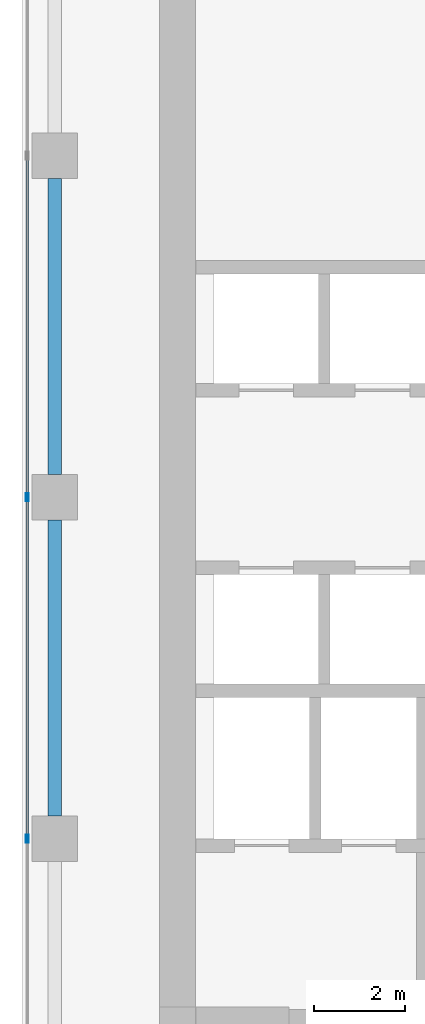
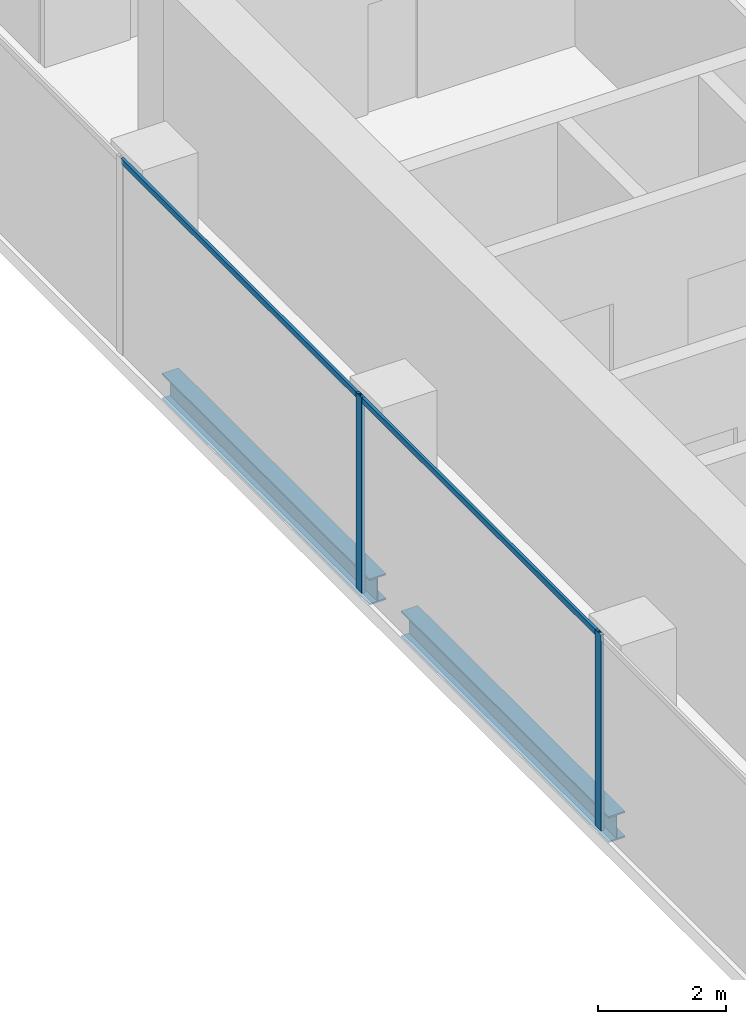
# One storey, part 6 of 37: 4 members, 2 beams, 1 element without a shape of its own.
"""IFC4 building model written with IfcOpenShell, lengths in metres."""

import ifcopenshell
import ifcopenshell.guid

model = None  # the IFC model being written
_history = None  # IfcOwnerHistory: only IFC2X3 demands one
_inside = {}  # id of a spatial element -> (the spatial element, [elements in it])
_under = {}  # id of a project, library or spatial element -> (it, [spatial elements below it])
_declared = {}  # id of a project -> (the project, [libraries it declares])
_typed = {}  # id of a type object -> (the type object, [elements of that type])
_made_of = {}  # id of a material, layer set ... -> (it, [elements and type objects made of it])


def new_model(schema):
    """Start an empty IFC model of exactly this schema.

    Asked for "IFC4X3", IfcOpenShell would pick the latest addendum, in which some entities
    have other attributes; the version numbers below select the first issue.
    IFC2X3 requires an IfcOwnerHistory on every rooted entity: one is made here for all.
    """
    global model, _history
    if schema == "IFC4X3":
        model = ifcopenshell.file(schema_version=(4, 3, 0, 0))
    else:
        model = ifcopenshell.file(schema=schema)
    _inside.clear()
    _under.clear()
    _declared.clear()
    _typed.clear()
    _made_of.clear()
    _history = None
    if model.schema == "IFC2X3":
        org = make("IfcOrganization", Name="unknown")
        user = make(
            "IfcPersonAndOrganization",
            ThePerson=make("IfcPerson", FamilyName="unknown"),
            TheOrganization=org,
        )
        app = make(
            "IfcApplication",
            ApplicationDeveloper=org,
            Version="unknown",
            ApplicationFullName="unknown",
            ApplicationIdentifier="unknown",
        )
        _history = make(
            "IfcOwnerHistory",
            OwningUser=user,
            OwningApplication=app,
            ChangeAction="ADDED",
            CreationDate=0,
        )
    return model


def make(cls, **values):
    """One entity of the class cls with the attributes given. An attribute that is None is left unset."""
    return model.create_entity(
        cls, **{name: value for name, value in values.items() if value is not None}
    )


def rooted(cls, **values):
    """An entity with a GlobalId (a new one), such as an element, a storey or a relation."""
    return make(cls, GlobalId=ifcopenshell.guid.new(), OwnerHistory=_history, **values)


def si_unit(unit_type, name, prefix=None):
    """IfcSIUnit, for example si_unit("LENGTHUNIT", "METRE", prefix="MILLI")."""
    return make("IfcSIUnit", UnitType=unit_type, Prefix=prefix, Name=name)


def assignment(units):
    """IfcUnitAssignment: the units of a project."""
    return None if units is None else make("IfcUnitAssignment", Units=units)


def point(xyz):
    """IfcCartesianPoint."""
    return None if xyz is None else make("IfcCartesianPoint", Coordinates=xyz)


def direction(xyz):
    """IfcDirection."""
    return None if xyz is None else make("IfcDirection", DirectionRatios=xyz)


def frame(location, z_axis=None, x_axis=None):
    """IfcAxis2Placement3D, a coordinate frame: its origin and axes. An axis left out is left unset."""
    return make(
        "IfcAxis2Placement3D",
        Location=point(location),
        Axis=direction(z_axis),
        RefDirection=direction(x_axis),
    )


def frame_2d(location, x_axis=None):
    """IfcAxis2Placement2D, a coordinate frame in the plane: its origin and x axis."""
    return make(
        "IfcAxis2Placement2D", Location=point(location), RefDirection=direction(x_axis)
    )


def origin():
    """The frame at (0, 0, 0) with its axes left unset."""
    return frame((0.0, 0.0, 0.0))


def origin_2d():
    """The frame at (0, 0) in the plane with its x axis left unset."""
    return frame_2d((0.0, 0.0))


def place(relative_to, where):
    """IfcLocalPlacement: puts the frame where relative to a parent placement (None: the world)."""
    return make(
        "IfcLocalPlacement", PlacementRelTo=relative_to, RelativePlacement=where
    )


def context(
    kind, dimensions, precision=None, world=None, true_north=None, identifier=None
):
    """IfcGeometricRepresentationContext, for example the 3D "Model" context."""
    return make(
        "IfcGeometricRepresentationContext",
        ContextIdentifier=identifier,
        ContextType=kind,
        CoordinateSpaceDimension=dimensions,
        Precision=precision,
        WorldCoordinateSystem=world,
        TrueNorth=true_north,
    )


def subcontext(parent, identifier, kind, view, scale=None):
    """IfcGeometricRepresentationSubContext, for example "Body" below "Model"."""
    return make(
        "IfcGeometricRepresentationSubContext",
        ContextIdentifier=identifier,
        ContextType=kind,
        ParentContext=parent,
        TargetScale=scale,
        TargetView=view,
    )


def project(units=None, contexts=None):
    """IfcProject with its units and contexts."""
    return rooted(
        "IfcProject",
        Name="project",
        RepresentationContexts=contexts,
        UnitsInContext=assignment(units),
    )


def spatial(cls, under=None, at=None, **own):
    """A site, building, storey or space (cls), placed at a placement, below another one or the project."""
    s = rooted(cls, ObjectPlacement=at, **own)
    if under is not None:
        _under.setdefault(under.id(), (under, []))[1].append(s)
    return s


def profile(cls, at=None, kind="AREA", **sizes):
    """A parametric profile (cls). Its sizes go by their IFC names, for example OverallWidth=200.0."""
    return make(cls, ProfileType=kind, Position=at, **sizes)


def hollow_rectangle(**sizes):
    """IfcRectangleHollowProfileDef."""
    return profile("IfcRectangleHollowProfileDef", **sizes)


def i_section(**sizes):
    """IfcIShapeProfileDef."""
    return profile("IfcIShapeProfileDef", **sizes)


def extrude(swept, where, along, depth):
    """IfcExtrudedAreaSolid: the profile swept, set in the frame where, extruded along a direction by depth."""
    return make(
        "IfcExtrudedAreaSolid",
        SweptArea=swept,
        Position=where,
        ExtrudedDirection=direction(along),
        Depth=depth,
    )


def shape(context_of_items, identifier, shape_type, items):
    """IfcShapeRepresentation: the items that make up one representation, for example the "Body"."""
    return make(
        "IfcShapeRepresentation",
        ContextOfItems=context_of_items,
        RepresentationIdentifier=identifier,
        RepresentationType=shape_type,
        Items=items,
    )


def source(mapping_origin, context_of_items, identifier, shape_type, items):
    """IfcRepresentationMap: a shape defined once, which mapped items show again and again."""
    return make(
        "IfcRepresentationMap",
        MappingOrigin=mapping_origin,
        MappedRepresentation=shape(context_of_items, identifier, shape_type, items),
    )


def transform(
    local_origin,
    x_axis=None,
    y_axis=None,
    z_axis=None,
    scale=None,
    scale2=None,
    scale3=None,
    uniform=True,
):
    """IfcCartesianTransformationOperator3D, or its non-uniform kind. x_axis, y_axis, z_axis: its Axis1, 2, 3."""
    if uniform:
        return make(
            "IfcCartesianTransformationOperator3D",
            Axis1=direction(x_axis),
            Axis2=direction(y_axis),
            LocalOrigin=point(local_origin),
            Scale=scale,
            Axis3=direction(z_axis),
        )
    return make(
        "IfcCartesianTransformationOperator3DnonUniform",
        Axis1=direction(x_axis),
        Axis2=direction(y_axis),
        LocalOrigin=point(local_origin),
        Scale=scale,
        Axis3=direction(z_axis),
        Scale2=scale2,
        Scale3=scale3,
    )


def mapped(mapping_source, mapping_target):
    """IfcMappedItem: shows the shape of a source again, moved by a transform."""
    return make(
        "IfcMappedItem", MappingSource=mapping_source, MappingTarget=mapping_target
    )


def material(Name=None, Category=None):
    """IfcMaterial."""
    return make("IfcMaterial", Name=Name, Category=Category)


def material_profile(
    of_material, cross_section, Name=None, Category=None, Priority=None
):
    """IfcMaterialProfile: a cross section and its material."""
    return make(
        "IfcMaterialProfile",
        Name=Name,
        Material=of_material,
        Profile=cross_section,
        Priority=Priority,
        Category=Category,
    )


def profile_set(profiles, Name=None, composite=None):
    """IfcMaterialProfileSet."""
    return make(
        "IfcMaterialProfileSet",
        Name=Name,
        MaterialProfiles=profiles,
        CompositeProfile=composite,
    )


def made_of(thing, what):
    """Note that an element or type object is made of a material, layer set ...; save() writes the relation."""
    if what is not None:
        _made_of.setdefault(what.id(), (what, []))[1].append(thing)
    return thing


def type_object(cls, material=None, **own):
    """A type object (cls), such as IfcWallType, which elements share."""
    return made_of(rooted(cls, **own), material)


def element(
    cls,
    number,
    at=None,
    inside=None,
    cuts=None,
    type_object=None,
    material=None,
    context=None,
    identifier="Body",
    shape_type=None,
    held_by="IfcProductDefinitionShape",
    body=None,
    shapes=None,
    **own,
):
    """One element of the class cls, such as IfcWall. Its Tag is "e" and its number.

    at: its placement. inside: the storey or other place that contains it. cuts: it is an
    opening in that element (IfcRelVoidsElement). A single representation is given by context,
    identifier, shape_type and body (its items); several are given by shapes. held_by: the class
    of the entity that holds the representations. save() writes the other relations.
    """
    e = rooted(cls, Tag="e%d" % number, ObjectPlacement=at, **own)
    if body is not None:
        shapes = [shape(context, identifier, shape_type, body)]
    if shapes is not None:
        e.Representation = make(held_by, Representations=shapes)
    if inside is not None:
        _inside.setdefault(inside.id(), (inside, []))[1].append(e)
    if cuts is not None:
        rooted(
            "IfcRelVoidsElement", RelatingBuildingElement=cuts, RelatedOpeningElement=e
        )
    if type_object is not None:
        _typed.setdefault(type_object.id(), (type_object, []))[1].append(e)
    return made_of(e, material)


def aggregate(whole, parts):
    """IfcRelAggregates: a whole, such as a stair, and the parts it consists of."""
    return rooted("IfcRelAggregates", RelatingObject=whole, RelatedObjects=parts)


def save(model, path):
    """Write the relations noted so far, then the file.

    IfcRelAggregates (storeys below a building ...), IfcRelContainedInSpatialStructure (elements
    in a storey), IfcRelDefinesByType, IfcRelAssociatesMaterial and IfcRelDeclares: one each for
    every whole, place, type object, material and project.
    """
    for whole, parts in _under.values():
        aggregate(whole, parts)
    for where, things in _inside.values():
        rooted(
            "IfcRelContainedInSpatialStructure",
            RelatedElements=things,
            RelatingStructure=where,
        )
    for kind, things in _typed.values():
        rooted("IfcRelDefinesByType", RelatedObjects=things, RelatingType=kind)
    for what, things in _made_of.values():
        rooted("IfcRelAssociatesMaterial", RelatedObjects=things, RelatingMaterial=what)
    for by, libraries in _declared.values():
        rooted("IfcRelDeclares", RelatingContext=by, RelatedDefinitions=libraries)
    model.write(path)


model = new_model("IFC4")

# Units and contexts
model_context = context("Model", 3, precision=1e-05, world=origin(), true_north=direction((0.0, 1.0)))
body_context = subcontext(model_context, "Body", "Model", "MODEL_VIEW")
ifc_project = project(units=[si_unit("LENGTHUNIT", "METRE"), si_unit("AREAUNIT", "SQUARE_METRE"), si_unit("VOLUMEUNIT", "CUBIC_METRE"), si_unit("PLANEANGLEUNIT", "RADIAN"), si_unit("MASSUNIT", "GRAM", prefix="KILO")], contexts=[model_context])

# Site, building, storey
site_placement = place(None, origin())
site = spatial("IfcSite", under=ifc_project, at=site_placement, CompositionType="ELEMENT")
building_placement = place(site_placement, origin())
building = spatial("IfcBuilding", under=site, at=building_placement, Name="Khomas Fold Tower", CompositionType="ELEMENT")
storey_placement = place(building_placement, frame((0.0, 0.0, 168.699951171875)))
storey = spatial("IfcBuildingStorey", under=building, at=storey_placement, Name="L36", CompositionType="ELEMENT", Elevation=168.699951171875)

# Beams
ifc_material_1 = material(Name="Steel S355", Category="steel")
ifc_material_profile_1 = material_profile(ifc_material_1, i_section(OverallWidth=0.300048828125, OverallDepth=0.5, WebThickness=0.014404296875, FlangeThickness=0.028076171875, at=origin_2d()), Name="HE 500 B")
ifc_profile_set_1 = profile_set([ifc_material_profile_1], Name="Steel S355")
beam_type = type_object("IfcBeamType", Name="HE 500 B spandrel SB3", PredefinedType="SPANDREL", material=ifc_profile_set_1)
shared_shape_1 = source(origin(), body_context, "Body", "SweptSolid", [
    extrude(i_section(OverallWidth=0.300048828125, OverallDepth=0.5, WebThickness=0.014404296875, FlangeThickness=0.028076171875, at=origin_2d()), origin(), (0.0, 0.0, 1.0), 6.5),
])
for number, where, z_axis, x_axis, name in (
    (1, (3.699951171875, 27.5, -0.5), (0.0, 1.0, 0.0), (-1.0, 0.0, 0.0), "SB3"),
    (2, (3.699951171875, 20.0, -0.5), (0.0, 1.0, 0.0), (-1.0, 0.0, 0.0), "SB3"),
):
    element("IfcBeam", number, at=place(storey_placement, frame(where, z_axis=z_axis, x_axis=x_axis)), inside=storey, type_object=beam_type, Name=name, PredefinedType="SPANDREL", context=body_context, shape_type="MappedRepresentation", body=[
        mapped(shared_shape_1, transform((0.0, 0.0, 0.0))),
    ])

# Curtain wall, members
ifc_material_2 = material(Name="Aluminium framed double glazing", Category="aluminium")
curtain_wall_type = type_object("IfcCurtainWallType", Name="SK-Unitised clear-glass wall, office floors CW2", PredefinedType="NOTDEFINED", material=ifc_material_2)
curtain_wall_placement = place(storey_placement, origin())
curtain_wall = element("IfcCurtainWall", 3, at=curtain_wall_placement, inside=storey, type_object=curtain_wall_type, Name="CW2 run L36 18-0", PredefinedType="NOTDEFINED")
ifc_material_3 = material(Name="Aluminium", Category="aluminium")
ifc_material_profile_2 = material_profile(ifc_material_3, hollow_rectangle(XDim=0.06005859375, YDim=0.179931640625, WallThickness=0.00390625, at=origin_2d()), Name="SK-Unitised clear-glass wall, office floors mullion CW2-M")
ifc_profile_set_2 = profile_set([ifc_material_profile_2], Name="Aluminium")
member_type_1 = type_object("IfcMemberType", Name="SK-Unitised clear-glass wall, office floors mullion CW2-M", PredefinedType="MULLION", material=ifc_profile_set_2)
shared_shape_2 = source(origin(), body_context, "Body", "SweptSolid", [
    extrude(hollow_rectangle(XDim=0.06005859375, YDim=0.179931640625, WallThickness=0.00390625, at=origin_2d()), origin(), (0.0, 0.0, 1.0), 3.75),
])
member_1_placement = place(storey_placement, frame((3.10009765625, 27.0, 0.0), z_axis=(0.0, 0.0, 1.0), x_axis=(1.0, 0.0, 0.0)))
member_1 = element("IfcMember", 4, at=member_1_placement, type_object=member_type_1, Name="CW2 mullion 5", PredefinedType="MULLION", context=body_context, shape_type="MappedRepresentation", body=[
    mapped(shared_shape_2, transform((0.0, 0.0, 0.0))),
])
member_2_placement = place(storey_placement, frame((3.10009765625, 19.5, 0.0), z_axis=(0.0, 0.0, 1.0), x_axis=(1.0, 0.0, 0.0)))
member_2 = element("IfcMember", 5, at=member_2_placement, type_object=member_type_1, Name="CW2 mullion 6", PredefinedType="MULLION", context=body_context, shape_type="MappedRepresentation", body=[
    mapped(shared_shape_2, transform((0.0, 0.0, 0.0))),
])
ifc_material_4 = material(Name="Aluminium", Category="aluminium")
ifc_material_profile_3 = material_profile(ifc_material_4, hollow_rectangle(XDim=0.050048828125, YDim=0.110107421875, WallThickness=0.00390625, at=origin_2d()), Name="SK-Unitised clear-glass wall, office floors transom CW2-T")
ifc_profile_set_3 = profile_set([ifc_material_profile_3], Name="Aluminium")
member_type_2 = type_object("IfcMemberType", Name="SK-Unitised clear-glass wall, office floors transom CW2-T", PredefinedType="USERDEFINED", material=ifc_profile_set_3)
shared_shape_3 = source(origin(), body_context, "Body", "SweptSolid", [
    extrude(hollow_rectangle(XDim=0.050048828125, YDim=0.110107421875, WallThickness=0.00390625, at=origin_2d()), origin(), (0.0, 0.0, 1.0), 7.43994140625),
])
member_3_placement = place(storey_placement, frame((3.10009765625, 34.469970703125, 3.695068359375), z_axis=(0.0, -1.0, 0.0), x_axis=(1.0, 0.0, 0.0)))
member_3 = element("IfcMember", 6, at=member_3_placement, type_object=member_type_2, Name="CW2 transom 4", ObjectType="TRANSOM", PredefinedType="USERDEFINED", context=body_context, shape_type="MappedRepresentation", body=[
    mapped(shared_shape_3, transform((0.0, 0.0, 0.0))),
])
member_4_placement = place(storey_placement, frame((3.10009765625, 26.969970703125, 3.695068359375), z_axis=(0.0, -1.0, 0.0), x_axis=(1.0, 0.0, 0.0)))
member_4 = element("IfcMember", 7, at=member_4_placement, type_object=member_type_2, Name="CW2 transom 5", ObjectType="TRANSOM", PredefinedType="USERDEFINED", context=body_context, shape_type="MappedRepresentation", body=[
    mapped(shared_shape_3, transform((0.0, 0.0, 0.0))),
])
aggregate(curtain_wall, [member_1, member_2, member_3, member_4])

save(model, "model.ifc")
